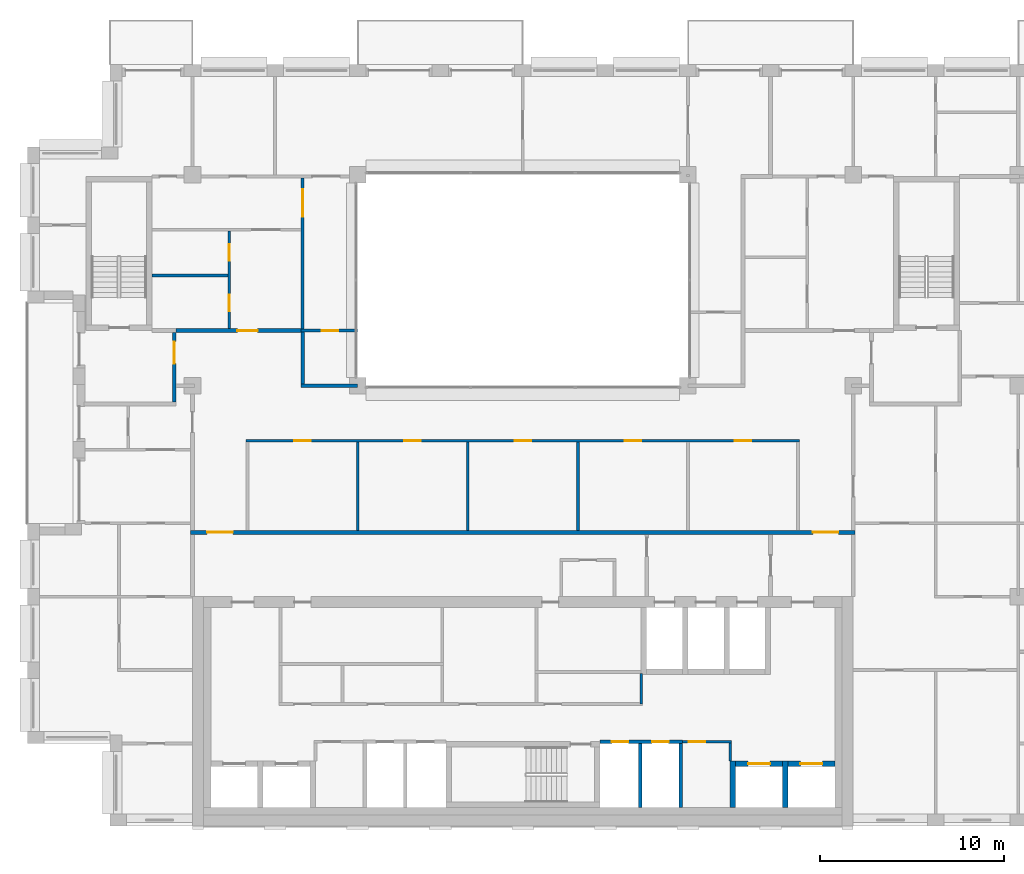
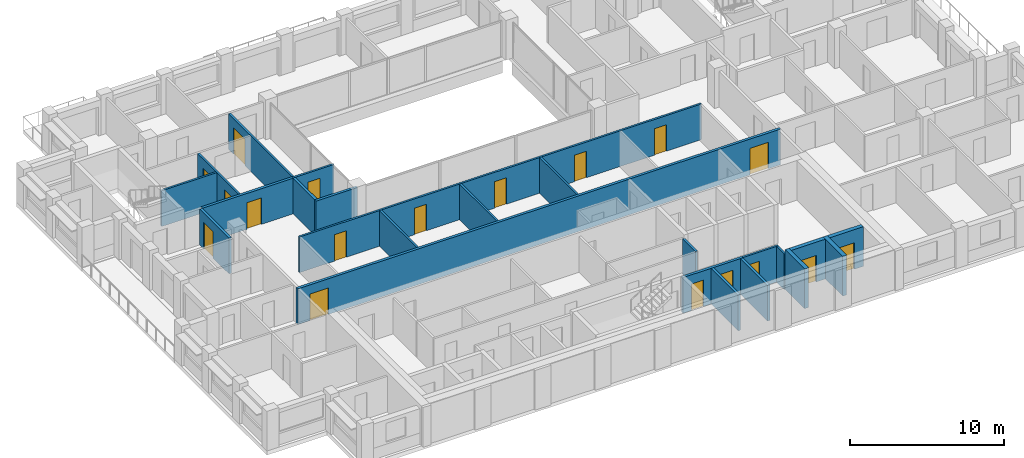
# One storey, part 10 of 16: 23 walls, 18 doors, 18 openings.
"""IFC4 building model written with IfcOpenShell, lengths in metres."""

from ifc_helpers import new_model, si_unit, direction, frame, frame_2d, origin, place, context, subcontext, project, spatial, rectangle, extrude, material, layer, layer_set, type_object, element, fill, save


model = new_model("IFC4")

# Units and contexts
model_context = context("Model", 3, precision=1e-05, world=origin(), true_north=direction((0.0, 1.0)))
body_context = subcontext(model_context, "Body", "Model", "MODEL_VIEW")
ifc_project = project(units=[si_unit("LENGTHUNIT", "METRE"), si_unit("AREAUNIT", "SQUARE_METRE"), si_unit("VOLUMEUNIT", "CUBIC_METRE"), si_unit("PLANEANGLEUNIT", "RADIAN"), si_unit("MASSUNIT", "GRAM", prefix="KILO")], contexts=[model_context])

# Site, building, storey
site_placement = place(None, origin())
site = spatial("IfcSite", under=ifc_project, at=site_placement, CompositionType="ELEMENT")
building_placement = place(site_placement, origin())
building = spatial("IfcBuilding", under=site, at=building_placement, Name="Brigalow Station Residences", CompositionType="ELEMENT")
storey_placement = place(building_placement, frame((0.0, 0.0, 198.0)))
storey = spatial("IfcBuildingStorey", under=building, at=storey_placement, Name="L56", CompositionType="ELEMENT", Elevation=198.0)

# Wall, opening, door
ifc_material_1 = material(Name="Concrete C50", Category="concrete")
ifc_layer_1 = layer(ifc_material_1, 0.300048828125)
ifc_layer_set_1 = layer_set([ifc_layer_1], Name="CORE SHEAR WALL 300 C50")
wall_type_1 = type_object("IfcWallType", Name="CORE SHEAR WALL 300 C50", PredefinedType="SHEAR", material=ifc_layer_set_1)
wall_1_placement = place(storey_placement, frame((47.60009765625, 3.39990234375, 0.0), z_axis=(0.0, 0.0, 1.0), x_axis=(1.0, 0.0, 0.0)))
wall_1 = element("IfcWall", 1, at=wall_1_placement, inside=storey, type_object=wall_type_1, Name="CORE WALL SH-C3-N L56", PredefinedType="SHEAR", context=body_context, shape_type="SweptSolid", body=[
    extrude(rectangle(XDim=2.5498046875, YDim=0.300048828125, at=frame_2d((1.27490234375, 0.0))), origin(), (0.0, 0.0, 1.0), 3.14990234375),
])
opening_1_placement = place(wall_1_placement, frame((0.675048828125, 0.0, 0.0)))
opening_1 = element("IfcOpeningElement", 2, at=opening_1_placement, cuts=wall_1, Name="Opening LD-LB3", PredefinedType="OPENING", context=body_context, shape_type="SweptSolid", body=[
    extrude(rectangle(XDim=1.199951171875, YDim=2.10009765625, at=frame_2d((0.60009765625, 1.050048828125))), frame((0.0, 0.16015625, 0.0), z_axis=(0.0, -1.0, 0.0), x_axis=(1.0, 0.0, 0.0)), (0.0, 0.0, 1.0), 0.320068359375),
])
ifc_material_2 = material(Name="Stainless steel sliding door leaves", Category="steel")
door_type_1 = type_object("IfcDoorType", Name="LIFT LANDING DOOR 1200 x 2100", OperationType="DOUBLE_DOOR_SLIDING", PredefinedType="DOOR", material=ifc_material_2)
door_1_placement = place(opening_1_placement, origin())
door_1 = element("IfcDoor", 3, at=door_1_placement, inside=storey, type_object=door_type_1, Name="LANDING DOOR LB3", OperationType="DOUBLE_DOOR_SLIDING", OverallHeight=2.10009765625, OverallWidth=1.199951171875, PredefinedType="DOOR", context=body_context, shape_type="SweptSolid", body=[
    extrude(rectangle(XDim=1.199951171875, YDim=2.10009765625, at=frame_2d((0.60009765625, 1.050048828125))), frame((0.0, 0.02490234375, 0.0), z_axis=(0.0, -1.0, 0.0), x_axis=(1.0, 0.0, 0.0)), (0.0, 0.0, 1.0), 0.050048828125),
])
fill(opening_1, door_1)

# Wall
wall_2_placement = place(storey_placement, frame((47.449951171875, 1.0, 0.0), z_axis=(0.0, 0.0, 1.0), x_axis=(0.0, 1.0, 0.0)))
element("IfcWall", 4, at=wall_2_placement, inside=storey, type_object=wall_type_1, Name="CORE WALL SH-C3-W L56", PredefinedType="SHEAR", context=body_context, shape_type="SweptSolid", body=[
    extrude(rectangle(XDim=2.550048828125, YDim=0.300048828125, at=frame_2d((1.27490234375, 0.0))), origin(), (0.0, 0.0, 1.0), 3.14990234375),
])

# Wall, opening, door
wall_3_placement = place(storey_placement, frame((50.449951171875, 3.39990234375, 0.0), z_axis=(0.0, 0.0, 1.0), x_axis=(1.0, 0.0, 0.0)))
wall_3 = element("IfcWall", 5, at=wall_3_placement, inside=storey, type_object=wall_type_1, Name="CORE WALL SH-C4-N L56", PredefinedType="SHEAR", context=body_context, shape_type="SweptSolid", body=[
    extrude(rectangle(XDim=2.550048828125, YDim=0.300048828125, at=frame_2d((1.27490234375, 0.0))), origin(), (0.0, 0.0, 1.0), 3.14990234375),
])
opening_2_placement = place(wall_3_placement, frame((0.675048828125, 0.0, 0.0)))
opening_2 = element("IfcOpeningElement", 6, at=opening_2_placement, cuts=wall_3, Name="Opening LD-LB4", PredefinedType="OPENING", context=body_context, shape_type="SweptSolid", body=[
    extrude(rectangle(XDim=1.199951171875, YDim=2.10009765625, at=frame_2d((0.60009765625, 1.050048828125))), frame((0.0, 0.16015625, 0.0), z_axis=(0.0, -1.0, 0.0), x_axis=(1.0, 0.0, 0.0)), (0.0, 0.0, 1.0), 0.320068359375),
])
door_2_placement = place(opening_2_placement, origin())
door_2 = element("IfcDoor", 7, at=door_2_placement, inside=storey, type_object=door_type_1, Name="LANDING DOOR LB4", OperationType="DOUBLE_DOOR_SLIDING", OverallHeight=2.10009765625, OverallWidth=1.199951171875, PredefinedType="DOOR", context=body_context, shape_type="SweptSolid", body=[
    extrude(rectangle(XDim=1.199951171875, YDim=2.10009765625, at=frame_2d((0.60009765625, 1.050048828125))), frame((0.0, 0.02490234375, 0.0), z_axis=(0.0, -1.0, 0.0), x_axis=(1.0, 0.0, 0.0)), (0.0, 0.0, 1.0), 0.050048828125),
])
fill(opening_2, door_2)

# Wall
wall_4_placement = place(storey_placement, frame((50.300048828125, 1.0, 0.0), z_axis=(0.0, 0.0, 1.0), x_axis=(0.0, 1.0, 0.0)))
element("IfcWall", 8, at=wall_4_placement, inside=storey, type_object=wall_type_1, Name="CORE WALL SH-C4-W L56", PredefinedType="SHEAR", context=body_context, shape_type="SweptSolid", body=[
    extrude(rectangle(XDim=2.550048828125, YDim=0.300048828125, at=frame_2d((1.27490234375, 0.0))), origin(), (0.0, 0.0, 1.0), 3.14990234375),
])

# Wall, openings, doors
ifc_material_3 = material(Name="Concrete blockwork", Category="masonry")
ifc_layer_2 = layer(ifc_material_3, 0.199951171875)
ifc_layer_set_2 = layer_set([ifc_layer_2], Name="FIRE RATED CORE PARTITION 200")
wall_type_2 = type_object("IfcWallType", Name="FIRE RATED CORE PARTITION 200", PredefinedType="PARTITIONING", material=ifc_layer_set_2)
wall_5_placement = place(storey_placement, frame((40.199951171875, 4.60009765625, 0.0), z_axis=(0.0, 0.0, 1.0), x_axis=(1.0, 0.0, 0.0)))
wall_5 = element("IfcWall", 9, at=wall_5_placement, inside=storey, type_object=wall_type_2, Name="PW-5018", PredefinedType="PARTITIONING", context=body_context, shape_type="SweptSolid", body=[
    extrude(rectangle(XDim=4.5, YDim=0.199951171875, at=frame_2d((2.25, 0.0))), origin(), (0.0, 0.0, 1.0), 2.830078125),
])
opening_3_placement = place(wall_5_placement, frame((0.64990234375, 0.0, 0.0)))
opening_3 = element("IfcOpeningElement", 10, at=opening_3_placement, cuts=wall_5, Name="Opening D-5009", PredefinedType="OPENING", context=body_context, shape_type="SweptSolid", body=[
    extrude(rectangle(XDim=0.89990234375, YDim=2.10009765625, at=frame_2d((0.449951171875, 1.050048828125))), frame((0.0, 0.10986328125, 0.0), z_axis=(0.0, -1.0, 0.0), x_axis=(1.0, 0.0, 0.0)), (0.0, 0.0, 1.0), 0.219970703125),
])
opening_4_placement = place(wall_5_placement, frame((2.85009765625, 0.0, 0.0)))
opening_4 = element("IfcOpeningElement", 11, at=opening_4_placement, cuts=wall_5, Name="Opening D-5010", PredefinedType="OPENING", context=body_context, shape_type="SweptSolid", body=[
    extrude(rectangle(XDim=0.89990234375, YDim=2.10009765625, at=frame_2d((0.449951171875, 1.050048828125))), frame((0.0, 0.10986328125, 0.0), z_axis=(0.0, -1.0, 0.0), x_axis=(1.0, 0.0, 0.0)), (0.0, 0.0, 1.0), 0.219970703125),
])
ifc_material_4 = material(Name="Steel fire door leaf in steel frame", Category="steel")
door_type_2 = type_object("IfcDoorType", Name="RISER ACCESS DOOR 900 x 2100 FD120", OperationType="SINGLE_SWING_LEFT", PredefinedType="DOOR", material=ifc_material_4)
door_3_placement = place(opening_3_placement, frame((0.89990234375, 0.0, 0.0), z_axis=(0.0, 0.0, 1.0), x_axis=(-1.0, 0.0, 0.0)))
door_3 = element("IfcDoor", 12, at=door_3_placement, inside=storey, type_object=door_type_2, Name="D-5009", OperationType="SINGLE_SWING_LEFT", OverallHeight=2.10009765625, OverallWidth=0.89990234375, PredefinedType="DOOR", context=body_context, shape_type="SweptSolid", body=[
    extrude(rectangle(XDim=0.89990234375, YDim=2.10009765625, at=frame_2d((0.449951171875, 1.050048828125))), frame((0.0, 0.02490234375, 0.0), z_axis=(0.0, -1.0, 0.0), x_axis=(1.0, 0.0, 0.0)), (0.0, 0.0, 1.0), 0.050048828125),
])
fill(opening_3, door_3)
door_4_placement = place(opening_4_placement, frame((0.89990234375, 0.0, 0.0), z_axis=(0.0, 0.0, 1.0), x_axis=(-1.0, 0.0, 0.0)))
door_4 = element("IfcDoor", 13, at=door_4_placement, inside=storey, type_object=door_type_2, Name="D-5010", OperationType="SINGLE_SWING_LEFT", OverallHeight=2.10009765625, OverallWidth=0.89990234375, PredefinedType="DOOR", context=body_context, shape_type="SweptSolid", body=[
    extrude(rectangle(XDim=0.89990234375, YDim=2.10009765625, at=frame_2d((0.449951171875, 1.050048828125))), frame((0.0, 0.02490234375, 0.0), z_axis=(0.0, -1.0, 0.0), x_axis=(1.0, 0.0, 0.0)), (0.0, 0.0, 1.0), 0.050048828125),
])
fill(opening_4, door_4)

# Walls
for number, where, z_axis, x_axis, name in (
    (14, (42.39990234375, 1.0, 0.0), (0.0, 0.0, 1.0), (0.0, 1.0, 0.0), "PW-5007"),
    (15, (44.60009765625, 1.0, 0.0), (0.0, 0.0, 1.0), (0.0, 1.0, 0.0), "PW-5008"),
):
    element("IfcWall", number, at=place(storey_placement, frame(where, z_axis=z_axis, x_axis=x_axis)), inside=storey, type_object=wall_type_2, Name=name, PredefinedType="PARTITIONING", context=body_context, shape_type="SweptSolid", body=[
        extrude(rectangle(XDim=3.5, YDim=0.199951171875, at=frame_2d((1.75, 0.0))), origin(), (0.0, 0.0, 1.0), 2.830078125),
    ])

# Wall, opening, door
wall_6_placement = place(storey_placement, frame((17.0, 23.10009765625, 0.0), z_axis=(0.0, 0.0, 1.0), x_axis=(0.0, 1.0, 0.0)))
wall_6 = element("IfcWall", 16, at=wall_6_placement, inside=storey, type_object=wall_type_2, Name="PW-5035", PredefinedType="PARTITIONING", context=body_context, shape_type="SweptSolid", body=[
    extrude(rectangle(XDim=3.7998046875, YDim=0.199951171875, at=frame_2d((1.89990234375, 0.0))), origin(), (0.0, 0.0, 1.0), 2.830078125),
])
opening_5_placement = place(wall_6_placement, frame((2.10009765625, 0.0, 0.0)))
opening_5 = element("IfcOpeningElement", 17, at=opening_5_placement, cuts=wall_6, Name="Opening D-5016", PredefinedType="OPENING", context=body_context, shape_type="SweptSolid", body=[
    extrude(rectangle(XDim=1.199951171875, YDim=2.10009765625, at=frame_2d((0.60009765625, 1.050048828125))), frame((0.0, 0.10986328125, 0.0), z_axis=(0.0, -1.0, 0.0), x_axis=(1.0, 0.0, 0.0)), (0.0, 0.0, 1.0), 0.219970703125),
])
ifc_material_5 = material(Name="Steel fire door leaf in steel frame", Category="steel")
door_type_3 = type_object("IfcDoorType", Name="STAIR LOBBY DOOR 1200 x 2100 FD60S", OperationType="SINGLE_SWING_LEFT", PredefinedType="DOOR", material=ifc_material_5)
door_5_placement = place(opening_5_placement, origin())
door_5 = element("IfcDoor", 18, at=door_5_placement, inside=storey, type_object=door_type_3, Name="D-5016", OperationType="SINGLE_SWING_RIGHT", OverallHeight=2.10009765625, OverallWidth=1.199951171875, PredefinedType="DOOR", context=body_context, shape_type="SweptSolid", body=[
    extrude(rectangle(XDim=1.199951171875, YDim=2.10009765625, at=frame_2d((0.60009765625, 1.050048828125))), frame((0.0, 0.02490234375, 0.0), z_axis=(0.0, -1.0, 0.0), x_axis=(1.0, 0.0, 0.0)), (0.0, 0.0, 1.0), 0.050048828125),
])
fill(opening_5, door_5)

# Wall, openings, doors
ifc_material_6 = material(Name="Plasterboard on steel stud partition", Category="steel")
ifc_layer_3 = layer(ifc_material_6, 0.14990234375)
ifc_layer_set_3 = layer_set([ifc_layer_3], Name="FLAT PARTITION 150")
wall_type_3 = type_object("IfcWallType", Name="FLAT PARTITION 150", PredefinedType="PARTITIONING", material=ifc_layer_set_3)
wall_7_placement = place(storey_placement, frame((20.925048828125, 21.0, 0.0), z_axis=(0.0, 0.0, 1.0), x_axis=(1.0, 0.0, 0.0)))
wall_7 = element("IfcWall", 19, at=wall_7_placement, inside=storey, type_object=wall_type_3, Name="PW-4A05", PredefinedType="PARTITIONING", context=body_context, shape_type="SweptSolid", body=[
    extrude(rectangle(XDim=30.14990234375, YDim=0.14990234375, at=frame_2d((15.074951171875, 0.0))), origin(), (0.0, 0.0, 1.0), 2.830078125),
])
opening_6_placement = place(wall_7_placement, frame((2.625, 0.0, 0.0)))
opening_6 = element("IfcOpeningElement", 20, at=opening_6_placement, cuts=wall_7, Name="Opening D-4A47", PredefinedType="OPENING", context=body_context, shape_type="SweptSolid", body=[
    extrude(rectangle(XDim=0.89990234375, YDim=2.10009765625, at=frame_2d((0.449951171875, 1.050048828125))), frame((0.0, 0.0849609375, 0.0), z_axis=(0.0, -1.0, 0.0), x_axis=(1.0, 0.0, 0.0)), (0.0, 0.0, 1.0), 0.169921875),
])
opening_7_placement = place(wall_7_placement, frame((8.625, 0.0, 0.0)))
opening_7 = element("IfcOpeningElement", 21, at=opening_7_placement, cuts=wall_7, Name="Opening D-4A48", PredefinedType="OPENING", context=body_context, shape_type="SweptSolid", body=[
    extrude(rectangle(XDim=0.89990234375, YDim=2.10009765625, at=frame_2d((0.449951171875, 1.050048828125))), frame((0.0, 0.0849609375, 0.0), z_axis=(0.0, -1.0, 0.0), x_axis=(1.0, 0.0, 0.0)), (0.0, 0.0, 1.0), 0.169921875),
])
opening_8_placement = place(wall_7_placement, frame((14.625, 0.0, 0.0)))
opening_8 = element("IfcOpeningElement", 22, at=opening_8_placement, cuts=wall_7, Name="Opening D-4A49", PredefinedType="OPENING", context=body_context, shape_type="SweptSolid", body=[
    extrude(rectangle(XDim=0.89990234375, YDim=2.10009765625, at=frame_2d((0.449951171875, 1.050048828125))), frame((0.0, 0.0849609375, 0.0), z_axis=(0.0, -1.0, 0.0), x_axis=(1.0, 0.0, 0.0)), (0.0, 0.0, 1.0), 0.169921875),
])
opening_9_placement = place(wall_7_placement, frame((20.625, 0.0, 0.0)))
opening_9 = element("IfcOpeningElement", 23, at=opening_9_placement, cuts=wall_7, Name="Opening D-4A50", PredefinedType="OPENING", context=body_context, shape_type="SweptSolid", body=[
    extrude(rectangle(XDim=0.89990234375, YDim=2.10009765625, at=frame_2d((0.449951171875, 1.050048828125))), frame((0.0, 0.0849609375, 0.0), z_axis=(0.0, -1.0, 0.0), x_axis=(1.0, 0.0, 0.0)), (0.0, 0.0, 1.0), 0.169921875),
])
opening_10_placement = place(wall_7_placement, frame((26.625, 0.0, 0.0)))
opening_10 = element("IfcOpeningElement", 24, at=opening_10_placement, cuts=wall_7, Name="Opening D-4A51", PredefinedType="OPENING", context=body_context, shape_type="SweptSolid", body=[
    extrude(rectangle(XDim=0.89990234375, YDim=2.10009765625, at=frame_2d((0.449951171875, 1.050048828125))), frame((0.0, 0.0849609375, 0.0), z_axis=(0.0, -1.0, 0.0), x_axis=(1.0, 0.0, 0.0)), (0.0, 0.0, 1.0), 0.169921875),
])
ifc_material_7 = material(Name="Solid-core timber door leaf", Category="wood")
door_type_4 = type_object("IfcDoorType", Name="INTERNAL DOOR 900 x 2100", OperationType="SINGLE_SWING_LEFT", PredefinedType="DOOR", material=ifc_material_7)
door_6_placement = place(opening_6_placement, frame((0.89990234375, 0.0, 0.0), z_axis=(0.0, 0.0, 1.0), x_axis=(-1.0, 0.0, 0.0)))
door_6 = element("IfcDoor", 25, at=door_6_placement, inside=storey, type_object=door_type_4, Name="D-4A47", OperationType="SINGLE_SWING_RIGHT", OverallHeight=2.10009765625, OverallWidth=0.89990234375, PredefinedType="DOOR", context=body_context, shape_type="SweptSolid", body=[
    extrude(rectangle(XDim=0.89990234375, YDim=2.10009765625, at=frame_2d((0.449951171875, 1.050048828125))), frame((0.0, 0.02490234375, 0.0), z_axis=(0.0, -1.0, 0.0), x_axis=(1.0, 0.0, 0.0)), (0.0, 0.0, 1.0), 0.050048828125),
])
fill(opening_6, door_6)
door_7_placement = place(opening_7_placement, frame((0.89990234375, 0.0, 0.0), z_axis=(0.0, 0.0, 1.0), x_axis=(-1.0, 0.0, 0.0)))
door_7 = element("IfcDoor", 26, at=door_7_placement, inside=storey, type_object=door_type_4, Name="D-4A48", OperationType="SINGLE_SWING_LEFT", OverallHeight=2.10009765625, OverallWidth=0.89990234375, PredefinedType="DOOR", context=body_context, shape_type="SweptSolid", body=[
    extrude(rectangle(XDim=0.89990234375, YDim=2.10009765625, at=frame_2d((0.449951171875, 1.050048828125))), frame((0.0, 0.02490234375, 0.0), z_axis=(0.0, -1.0, 0.0), x_axis=(1.0, 0.0, 0.0)), (0.0, 0.0, 1.0), 0.050048828125),
])
fill(opening_7, door_7)
door_8_placement = place(opening_8_placement, frame((0.89990234375, 0.0, 0.0), z_axis=(0.0, 0.0, 1.0), x_axis=(-1.0, 0.0, 0.0)))
door_8 = element("IfcDoor", 27, at=door_8_placement, inside=storey, type_object=door_type_4, Name="D-4A49", OperationType="SINGLE_SWING_LEFT", OverallHeight=2.10009765625, OverallWidth=0.89990234375, PredefinedType="DOOR", context=body_context, shape_type="SweptSolid", body=[
    extrude(rectangle(XDim=0.89990234375, YDim=2.10009765625, at=frame_2d((0.449951171875, 1.050048828125))), frame((0.0, 0.02490234375, 0.0), z_axis=(0.0, -1.0, 0.0), x_axis=(1.0, 0.0, 0.0)), (0.0, 0.0, 1.0), 0.050048828125),
])
fill(opening_8, door_8)
door_9_placement = place(opening_9_placement, frame((0.89990234375, 0.0, 0.0), z_axis=(0.0, 0.0, 1.0), x_axis=(-1.0, 0.0, 0.0)))
door_9 = element("IfcDoor", 28, at=door_9_placement, inside=storey, type_object=door_type_4, Name="D-4A50", OperationType="SINGLE_SWING_RIGHT", OverallHeight=2.10009765625, OverallWidth=0.89990234375, PredefinedType="DOOR", context=body_context, shape_type="SweptSolid", body=[
    extrude(rectangle(XDim=0.89990234375, YDim=2.10009765625, at=frame_2d((0.449951171875, 1.050048828125))), frame((0.0, 0.02490234375, 0.0), z_axis=(0.0, -1.0, 0.0), x_axis=(1.0, 0.0, 0.0)), (0.0, 0.0, 1.0), 0.050048828125),
])
fill(opening_9, door_9)
door_10_placement = place(opening_10_placement, frame((0.89990234375, 0.0, 0.0), z_axis=(0.0, 0.0, 1.0), x_axis=(-1.0, 0.0, 0.0)))
door_10 = element("IfcDoor", 29, at=door_10_placement, inside=storey, type_object=door_type_4, Name="D-4A51", OperationType="SINGLE_SWING_LEFT", OverallHeight=2.10009765625, OverallWidth=0.89990234375, PredefinedType="DOOR", context=body_context, shape_type="SweptSolid", body=[
    extrude(rectangle(XDim=0.89990234375, YDim=2.10009765625, at=frame_2d((0.449951171875, 1.050048828125))), frame((0.0, 0.02490234375, 0.0), z_axis=(0.0, -1.0, 0.0), x_axis=(1.0, 0.0, 0.0)), (0.0, 0.0, 1.0), 0.050048828125),
])
fill(opening_10, door_10)

# Wall, opening, door
wall_8_placement = place(storey_placement, frame((23.925048828125, 27.0, 0.0), z_axis=(0.0, 0.0, 1.0), x_axis=(1.0, 0.0, 0.0)))
wall_8 = element("IfcWall", 30, at=wall_8_placement, inside=storey, type_object=wall_type_3, Name="PW-4A06", PredefinedType="PARTITIONING", context=body_context, shape_type="SweptSolid", body=[
    extrude(rectangle(XDim=3.074951171875, YDim=0.14990234375, at=frame_2d((1.53759765625, 0.0))), origin(), (0.0, 0.0, 1.0), 2.830078125),
])
opening_11_placement = place(wall_8_placement, frame((1.125, 0.0, 0.0)))
opening_11 = element("IfcOpeningElement", 31, at=opening_11_placement, cuts=wall_8, Name="Opening D-4A16", PredefinedType="OPENING", context=body_context, shape_type="SweptSolid", body=[
    extrude(rectangle(XDim=0.89990234375, YDim=2.10009765625, at=frame_2d((0.449951171875, 1.050048828125))), frame((0.0, 0.0849609375, 0.0), z_axis=(0.0, -1.0, 0.0), x_axis=(1.0, 0.0, 0.0)), (0.0, 0.0, 1.0), 0.169921875),
])
door_11_placement = place(opening_11_placement, frame((0.89990234375, 0.0, 0.0), z_axis=(0.0, 0.0, 1.0), x_axis=(-1.0, 0.0, 0.0)))
door_11 = element("IfcDoor", 32, at=door_11_placement, inside=storey, type_object=door_type_4, Name="D-4A16", OperationType="SINGLE_SWING_RIGHT", OverallHeight=2.10009765625, OverallWidth=0.89990234375, PredefinedType="DOOR", context=body_context, shape_type="SweptSolid", body=[
    extrude(rectangle(XDim=0.89990234375, YDim=2.10009765625, at=frame_2d((0.449951171875, 1.050048828125))), frame((0.0, 0.02490234375, 0.0), z_axis=(0.0, -1.0, 0.0), x_axis=(1.0, 0.0, 0.0)), (0.0, 0.0, 1.0), 0.050048828125),
])
fill(opening_11, door_11)

# Wall
wall_9_placement = place(storey_placement, frame((15.800048828125, 30.0, 0.0), z_axis=(0.0, 0.0, 1.0), x_axis=(1.0, 0.0, 0.0)))
element("IfcWall", 33, at=wall_9_placement, inside=storey, type_object=wall_type_3, Name="PW-4A19", PredefinedType="PARTITIONING", context=body_context, shape_type="SweptSolid", body=[
    extrude(rectangle(XDim=4.125, YDim=0.14990234375, at=frame_2d((2.0625, 0.0))), origin(), (0.0, 0.0, 1.0), 2.830078125),
])

# Wall, opening, door
wall_10_placement = place(storey_placement, frame((24.0, 27.074951171875, 0.0), z_axis=(0.0, 0.0, 1.0), x_axis=(0.0, 1.0, 0.0)))
wall_10 = element("IfcWall", 34, at=wall_10_placement, inside=storey, type_object=wall_type_3, Name="PW-4A39", PredefinedType="PARTITIONING", context=body_context, shape_type="SweptSolid", body=[
    extrude(rectangle(XDim=8.25, YDim=0.14990234375, at=frame_2d((4.125, 0.0))), origin(), (0.0, 0.0, 1.0), 2.830078125),
])
opening_12_placement = place(wall_10_placement, frame((6.125, 0.0, 0.0)))
opening_12 = element("IfcOpeningElement", 35, at=opening_12_placement, cuts=wall_10, Name="Opening D-4A15", PredefinedType="OPENING", context=body_context, shape_type="SweptSolid", body=[
    extrude(rectangle(XDim=1.5, YDim=2.10009765625, at=frame_2d((0.75, 1.050048828125))), frame((0.0, 0.0849609375, 0.0), z_axis=(0.0, -1.0, 0.0), x_axis=(1.0, 0.0, 0.0)), (0.0, 0.0, 1.0), 0.169921875),
])
ifc_material_8 = material(Name="Solid-core timber door leaf", Category="wood")
door_type_5 = type_object("IfcDoorType", Name="INTERNAL DOUBLE DOOR 1500 x 2100", OperationType="DOUBLE_DOOR_SINGLE_SWING", PredefinedType="DOOR", material=ifc_material_8)
door_12_placement = place(opening_12_placement, origin())
door_12 = element("IfcDoor", 36, at=door_12_placement, inside=storey, type_object=door_type_5, Name="D-4A15", OperationType="DOUBLE_DOOR_SINGLE_SWING", OverallHeight=2.10009765625, OverallWidth=1.5, PredefinedType="DOOR", context=body_context, shape_type="SweptSolid", body=[
    extrude(rectangle(XDim=1.5, YDim=2.10009765625, at=frame_2d((0.75, 1.050048828125))), frame((0.0, 0.02490234375, 0.0), z_axis=(0.0, -1.0, 0.0), x_axis=(1.0, 0.0, 0.0)), (0.0, 0.0, 1.0), 0.050048828125),
])
fill(opening_12, door_12)

# Wall, openings, doors
wall_11_placement = place(storey_placement, frame((20.0, 27.10009765625, 0.0), z_axis=(0.0, 0.0, 1.0), x_axis=(0.0, 1.0, 0.0)))
wall_11 = element("IfcWall", 37, at=wall_11_placement, inside=storey, type_object=wall_type_3, Name="PW-4A45", PredefinedType="PARTITIONING", context=body_context, shape_type="SweptSolid", body=[
    extrude(rectangle(XDim=5.324951171875, YDim=0.14990234375, at=frame_2d((2.66259765625, 0.0))), origin(), (0.0, 0.0, 1.0), 2.830078125),
])
opening_13_placement = place(wall_11_placement, frame((0.949951171875, 0.0, 0.0)))
opening_13 = element("IfcOpeningElement", 38, at=opening_13_placement, cuts=wall_11, Name="Opening D-4A12", PredefinedType="OPENING", context=body_context, shape_type="SweptSolid", body=[
    extrude(rectangle(XDim=0.89990234375, YDim=2.10009765625, at=frame_2d((0.449951171875, 1.050048828125))), frame((0.0, 0.0849609375, 0.0), z_axis=(0.0, -1.0, 0.0), x_axis=(1.0, 0.0, 0.0)), (0.0, 0.0, 1.0), 0.169921875),
])
opening_14_placement = place(wall_11_placement, frame((3.699951171875, 0.0, 0.0)))
opening_14 = element("IfcOpeningElement", 39, at=opening_14_placement, cuts=wall_11, Name="Opening D-4A13", PredefinedType="OPENING", context=body_context, shape_type="SweptSolid", body=[
    extrude(rectangle(XDim=0.89990234375, YDim=2.10009765625, at=frame_2d((0.449951171875, 1.050048828125))), frame((0.0, 0.0849609375, 0.0), z_axis=(0.0, -1.0, 0.0), x_axis=(1.0, 0.0, 0.0)), (0.0, 0.0, 1.0), 0.169921875),
])
door_13_placement = place(opening_13_placement, origin())
door_13 = element("IfcDoor", 40, at=door_13_placement, inside=storey, type_object=door_type_4, Name="D-4A12", OperationType="SINGLE_SWING_LEFT", OverallHeight=2.10009765625, OverallWidth=0.89990234375, PredefinedType="DOOR", context=body_context, shape_type="SweptSolid", body=[
    extrude(rectangle(XDim=0.89990234375, YDim=2.10009765625, at=frame_2d((0.449951171875, 1.050048828125))), frame((0.0, 0.02490234375, 0.0), z_axis=(0.0, -1.0, 0.0), x_axis=(1.0, 0.0, 0.0)), (0.0, 0.0, 1.0), 0.050048828125),
])
fill(opening_13, door_13)
door_14_placement = place(opening_14_placement, origin())
door_14 = element("IfcDoor", 41, at=door_14_placement, inside=storey, type_object=door_type_4, Name="D-4A13", OperationType="SINGLE_SWING_LEFT", OverallHeight=2.10009765625, OverallWidth=0.89990234375, PredefinedType="DOOR", context=body_context, shape_type="SweptSolid", body=[
    extrude(rectangle(XDim=0.89990234375, YDim=2.10009765625, at=frame_2d((0.449951171875, 1.050048828125))), frame((0.0, 0.02490234375, 0.0), z_axis=(0.0, -1.0, 0.0), x_axis=(1.0, 0.0, 0.0)), (0.0, 0.0, 1.0), 0.050048828125),
])
fill(opening_14, door_14)

# Walls
for number, where, z_axis, x_axis, name in (
    (42, (27.0, 16.10009765625, 0.0), (0.0, 0.0, 1.0), (0.0, 1.0, 0.0), "PW-4A64"),
    (43, (33.0, 16.10009765625, 0.0), (0.0, 0.0, 1.0), (0.0, 1.0, 0.0), "PW-4A65"),
    (44, (39.0, 16.10009765625, 0.0), (0.0, 0.0, 1.0), (0.0, 1.0, 0.0), "PW-4A66"),
):
    element("IfcWall", number, at=place(storey_placement, frame(where, z_axis=z_axis, x_axis=x_axis)), inside=storey, type_object=wall_type_3, Name=name, PredefinedType="PARTITIONING", context=body_context, shape_type="SweptSolid", body=[
        extrude(rectangle(XDim=4.824951171875, YDim=0.14990234375, at=frame_2d((2.41259765625, 0.0))), origin(), (0.0, 0.0, 1.0), 2.830078125),
    ])
ifc_material_9 = material(Name="Plasterboard on steel stud partition", Category="steel")
ifc_layer_4 = layer(ifc_material_9, 0.199951171875)
ifc_layer_set_4 = layer_set([ifc_layer_4], Name="PARTY AND CORRIDOR WALL 200")
wall_type_4 = type_object("IfcWallType", Name="PARTY AND CORRIDOR WALL 200", PredefinedType="PARTITIONING", material=ifc_layer_set_4)
wall_12_placement = place(storey_placement, frame((23.89990234375, 24.0, 0.0), z_axis=(0.0, 0.0, 1.0), x_axis=(1.0, 0.0, 0.0)))
element("IfcWall", 45, at=wall_12_placement, inside=storey, type_object=wall_type_4, Name="PW-4A02", PredefinedType="PARTITIONING", context=body_context, shape_type="SweptSolid", body=[
    extrude(rectangle(XDim=3.10009765625, YDim=0.199951171875, at=frame_2d((1.550048828125, 0.0))), origin(), (0.0, 0.0, 1.0), 2.830078125),
])

# Wall, opening, door
wall_13_placement = place(storey_placement, frame((17.10009765625, 27.0, 0.0), z_axis=(0.0, 0.0, 1.0), x_axis=(1.0, 0.0, 0.0)))
wall_13 = element("IfcWall", 46, at=wall_13_placement, inside=storey, type_object=wall_type_4, Name="PW-4A07", PredefinedType="PARTITIONING", context=body_context, shape_type="SweptSolid", body=[
    extrude(rectangle(XDim=6.974853515625, YDim=0.199951171875, at=frame_2d((3.4873046875, 0.0))), origin(), (0.0, 0.0, 1.0), 2.830078125),
])
opening_15_placement = place(wall_13_placement, frame((3.35009765625, 0.0, 0.0)))
opening_15 = element("IfcOpeningElement", 47, at=opening_15_placement, cuts=wall_13, Name="Opening D-4A11", PredefinedType="OPENING", context=body_context, shape_type="SweptSolid", body=[
    extrude(rectangle(XDim=1.10009765625, YDim=2.10009765625, at=frame_2d((0.550048828125, 1.050048828125))), frame((0.0, 0.10986328125, 0.0), z_axis=(0.0, -1.0, 0.0), x_axis=(1.0, 0.0, 0.0)), (0.0, 0.0, 1.0), 0.219970703125),
])
ifc_material_10 = material(Name="Solid-core timber door leaf", Category="wood")
door_type_6 = type_object("IfcDoorType", Name="FLAT ENTRANCE DOOR 1100 x 2100 FRL -/60/30", OperationType="SINGLE_SWING_LEFT", PredefinedType="DOOR", material=ifc_material_10)
door_15_placement = place(opening_15_placement, origin())
door_15 = element("IfcDoor", 48, at=door_15_placement, inside=storey, type_object=door_type_6, Name="D-4A11", OperationType="SINGLE_SWING_LEFT", OverallHeight=2.10009765625, OverallWidth=1.10009765625, PredefinedType="DOOR", context=body_context, shape_type="SweptSolid", body=[
    extrude(rectangle(XDim=1.10009765625, YDim=2.10009765625, at=frame_2d((0.550048828125, 1.050048828125))), frame((0.0, 0.02490234375, 0.0), z_axis=(0.0, -1.0, 0.0), x_axis=(1.0, 0.0, 0.0)), (0.0, 0.0, 1.0), 0.050048828125),
])
fill(opening_15, door_15)

# Wall, openings, doors
wall_14_placement = place(storey_placement, frame((17.89990234375, 16.0, 0.0), z_axis=(0.0, 0.0, 1.0), x_axis=(1.0, 0.0, 0.0)))
wall_14 = element("IfcWall", 49, at=wall_14_placement, inside=storey, type_object=wall_type_4, Name="PW-4A32", PredefinedType="PARTITIONING", context=body_context, shape_type="SweptSolid", body=[
    extrude(rectangle(XDim=36.2001953125, YDim=0.199951171875, at=frame_2d((18.10009765625, 0.0))), origin(), (0.0, 0.0, 1.0), 2.830078125),
])
opening_16_placement = place(wall_14_placement, frame((0.89990234375, 0.0, 0.0)))
opening_16 = element("IfcOpeningElement", 50, at=opening_16_placement, cuts=wall_14, Name="Opening D-4A01", PredefinedType="OPENING", context=body_context, shape_type="SweptSolid", body=[
    extrude(rectangle(XDim=1.39990234375, YDim=2.10009765625, at=frame_2d((0.699951171875, 1.050048828125))), frame((0.0, 0.10986328125, 0.0), z_axis=(0.0, -1.0, 0.0), x_axis=(1.0, 0.0, 0.0)), (0.0, 0.0, 1.0), 0.219970703125),
])
opening_17_placement = place(wall_14_placement, frame((33.89990234375, 0.0, 0.0)))
opening_17 = element("IfcOpeningElement", 51, at=opening_17_placement, cuts=wall_14, Name="Opening D-4A02", PredefinedType="OPENING", context=body_context, shape_type="SweptSolid", body=[
    extrude(rectangle(XDim=1.39990234375, YDim=2.10009765625, at=frame_2d((0.699951171875, 1.050048828125))), frame((0.0, 0.10986328125, 0.0), z_axis=(0.0, -1.0, 0.0), x_axis=(1.0, 0.0, 0.0)), (0.0, 0.0, 1.0), 0.219970703125),
])
ifc_material_11 = material(Name="Solid-core timber door leaf", Category="wood")
door_type_7 = type_object("IfcDoorType", Name="CORRIDOR FIRE DOOR 1400 x 2100 FRL -/60/30", OperationType="DOUBLE_DOOR_SINGLE_SWING", PredefinedType="DOOR", material=ifc_material_11)
door_16_placement = place(opening_16_placement, frame((1.39990234375, 0.0, 0.0), z_axis=(0.0, 0.0, 1.0), x_axis=(-1.0, 0.0, 0.0)))
door_16 = element("IfcDoor", 52, at=door_16_placement, inside=storey, type_object=door_type_7, Name="D-4A01", OperationType="DOUBLE_DOOR_SINGLE_SWING", OverallHeight=2.10009765625, OverallWidth=1.39990234375, PredefinedType="DOOR", context=body_context, shape_type="SweptSolid", body=[
    extrude(rectangle(XDim=1.39990234375, YDim=2.10009765625, at=frame_2d((0.699951171875, 1.050048828125))), frame((0.0, 0.02490234375, 0.0), z_axis=(0.0, -1.0, 0.0), x_axis=(1.0, 0.0, 0.0)), (0.0, 0.0, 1.0), 0.050048828125),
])
fill(opening_16, door_16)
door_17_placement = place(opening_17_placement, frame((1.39990234375, 0.0, 0.0), z_axis=(0.0, 0.0, 1.0), x_axis=(-1.0, 0.0, 0.0)))
door_17 = element("IfcDoor", 53, at=door_17_placement, inside=storey, type_object=door_type_7, Name="D-4A02", OperationType="DOUBLE_DOOR_SINGLE_SWING", OverallHeight=2.10009765625, OverallWidth=1.39990234375, PredefinedType="DOOR", context=body_context, shape_type="SweptSolid", body=[
    extrude(rectangle(XDim=1.39990234375, YDim=2.10009765625, at=frame_2d((0.699951171875, 1.050048828125))), frame((0.0, 0.02490234375, 0.0), z_axis=(0.0, -1.0, 0.0), x_axis=(1.0, 0.0, 0.0)), (0.0, 0.0, 1.0), 0.050048828125),
])
fill(opening_17, door_17)

# Wall
wall_15_placement = place(storey_placement, frame((24.0, 24.10009765625, 0.0), z_axis=(0.0, 0.0, 1.0), x_axis=(0.0, 1.0, 0.0)))
element("IfcWall", 54, at=wall_15_placement, inside=storey, type_object=wall_type_4, Name="PW-4A40", PredefinedType="PARTITIONING", context=body_context, shape_type="SweptSolid", body=[
    extrude(rectangle(XDim=2.824951171875, YDim=0.199951171875, at=frame_2d((1.41259765625, 0.0))), origin(), (0.0, 0.0, 1.0), 2.830078125),
])

# Wall, opening, door
ifc_material_12 = material(Name="Plasterboard on steel studs", Category="steel")
ifc_layer_5 = layer(ifc_material_12, 0.14990234375)
ifc_layer_set_5 = layer_set([ifc_layer_5], Name="SERVICE ROOM PARTITION 150")
wall_type_5 = type_object("IfcWallType", Name="SERVICE ROOM PARTITION 150", PredefinedType="PARTITIONING", material=ifc_layer_set_5)
wall_16_placement = place(storey_placement, frame((44.699951171875, 4.60009765625, 0.0), z_axis=(0.0, 0.0, 1.0), x_axis=(1.0, 0.0, 0.0)))
wall_16 = element("IfcWall", 55, at=wall_16_placement, inside=storey, type_object=wall_type_5, Name="PW-5156", PredefinedType="PARTITIONING", context=body_context, shape_type="SweptSolid", body=[
    extrude(rectangle(XDim=2.675048828125, YDim=0.14990234375, at=frame_2d((1.33740234375, 0.0))), origin(), (0.0, 0.0, 1.0), 2.830078125),
])
opening_18_placement = place(wall_16_placement, frame((0.35009765625, 0.0, 0.0)))
opening_18 = element("IfcOpeningElement", 56, at=opening_18_placement, cuts=wall_16, Name="Opening D-5026", PredefinedType="OPENING", context=body_context, shape_type="SweptSolid", body=[
    extrude(rectangle(XDim=0.89990234375, YDim=2.10009765625, at=frame_2d((0.449951171875, 1.050048828125))), frame((0.0, 0.0849609375, 0.0), z_axis=(0.0, -1.0, 0.0), x_axis=(1.0, 0.0, 0.0)), (0.0, 0.0, 1.0), 0.169921875),
])
ifc_material_13 = material(Name="Steel door leaf in steel frame", Category="steel")
door_type_8 = type_object("IfcDoorType", Name="SERVICE ROOM DOOR 900 x 2100 FD60", OperationType="SINGLE_SWING_LEFT", PredefinedType="DOOR", material=ifc_material_13)
door_18_placement = place(opening_18_placement, frame((0.89990234375, 0.0, 0.0), z_axis=(0.0, 0.0, 1.0), x_axis=(-1.0, 0.0, 0.0)))
door_18 = element("IfcDoor", 57, at=door_18_placement, inside=storey, type_object=door_type_8, Name="D-5026", OperationType="SINGLE_SWING_RIGHT", OverallHeight=2.10009765625, OverallWidth=0.89990234375, PredefinedType="DOOR", context=body_context, shape_type="SweptSolid", body=[
    extrude(rectangle(XDim=0.89990234375, YDim=2.10009765625, at=frame_2d((0.449951171875, 1.050048828125))), frame((0.0, 0.02490234375, 0.0), z_axis=(0.0, -1.0, 0.0), x_axis=(1.0, 0.0, 0.0)), (0.0, 0.0, 1.0), 0.050048828125),
])
fill(opening_18, door_18)

# Walls
wall_17_placement = place(storey_placement, frame((47.300048828125, 3.550048828125, 0.0), z_axis=(0.0, 0.0, 1.0), x_axis=(0.0, 1.0, 0.0)))
element("IfcWall", 58, at=wall_17_placement, inside=storey, type_object=wall_type_5, Name="PW-5158", PredefinedType="PARTITIONING", context=body_context, shape_type="SweptSolid", body=[
    extrude(rectangle(XDim=0.974853515625, YDim=0.14990234375, at=frame_2d((0.4873046875, 0.0))), origin(), (0.0, 0.0, 1.0), 2.830078125),
])
wall_18_placement = place(storey_placement, frame((42.449951171875, 6.64990234375, 0.0), z_axis=(0.0, 0.0, 1.0), x_axis=(0.0, 1.0, 0.0)))
element("IfcWall", 59, at=wall_18_placement, inside=storey, type_object=wall_type_5, Name="PW-5206", PredefinedType="PARTITIONING", context=body_context, shape_type="SweptSolid", body=[
    extrude(rectangle(XDim=1.675048828125, YDim=0.14990234375, at=frame_2d((0.83740234375, 0.0))), origin(), (0.0, 0.0, 1.0), 2.830078125),
])

save(model, "model.ifc")
